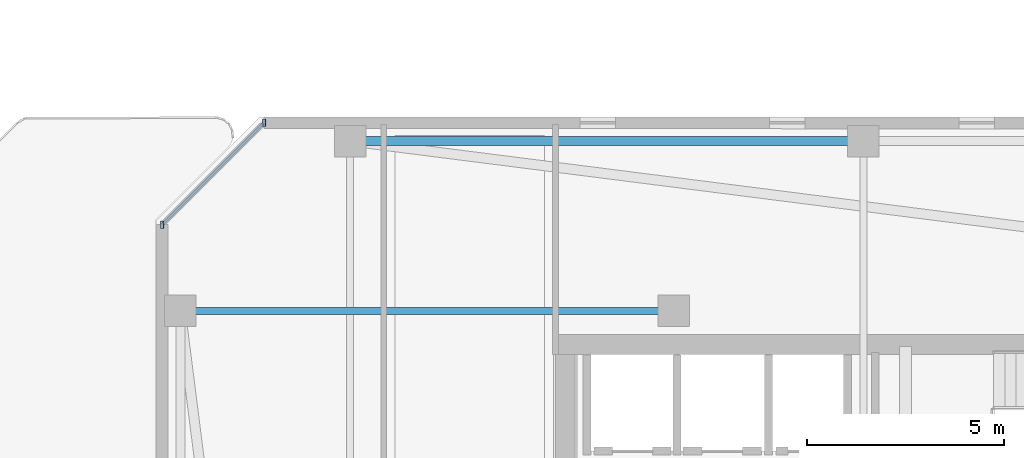
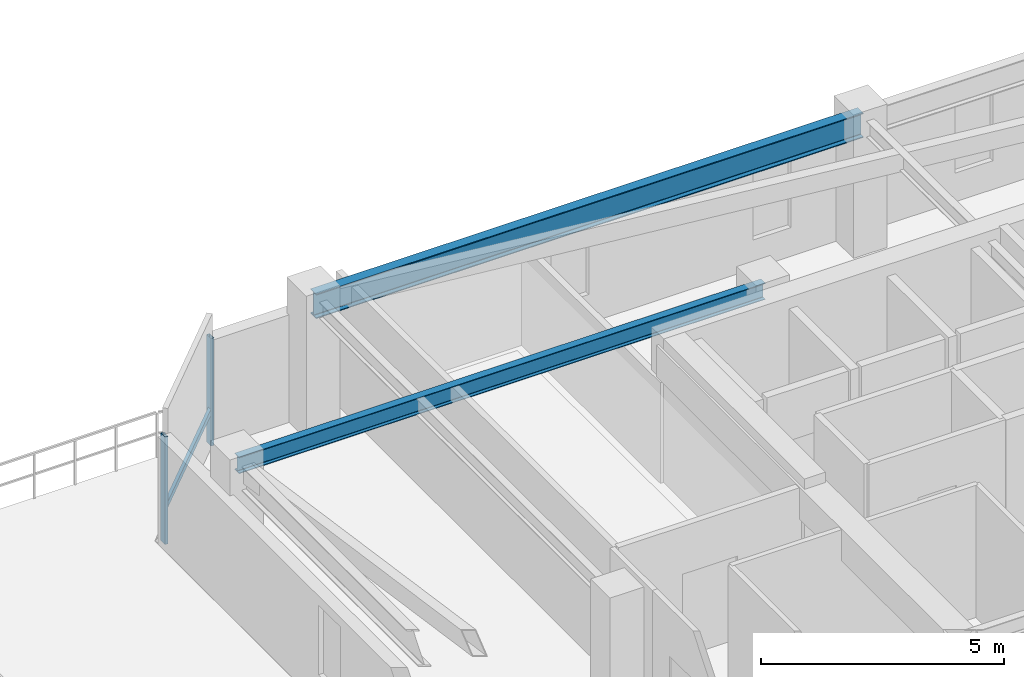
# One storey, part 7 of 31: 3 members, 2 beams, 1 element without a shape of its own.
"""IFC4 building model written with IfcOpenShell, lengths in metres."""

from ifc_helpers import new_model, si_unit, direction, frame, origin, origin_2d, place, context, subcontext, project, spatial, hollow_rectangle, i_section, extrude, material, material_profile, profile_set, type_object, element, aggregate, save


model = new_model("IFC4")

# Units and contexts
model_context = context("Model", 3, precision=1e-05, world=origin(), true_north=direction((0.0, 1.0)))
body_context = subcontext(model_context, "Body", "Model", "MODEL_VIEW")
ifc_project = project(units=[si_unit("LENGTHUNIT", "METRE"), si_unit("AREAUNIT", "SQUARE_METRE"), si_unit("VOLUMEUNIT", "CUBIC_METRE"), si_unit("PLANEANGLEUNIT", "RADIAN"), si_unit("MASSUNIT", "GRAM", prefix="KILO")], contexts=[model_context])

# Site, building, storey
site_placement = place(None, origin())
site = spatial("IfcSite", under=ifc_project, at=site_placement, CompositionType="ELEMENT")
building_placement = place(site_placement, origin())
building = spatial("IfcBuilding", under=site, at=building_placement, Name="Thornwick Lancets Civic Towers", CompositionType="ELEMENT")
storey_placement = place(building_placement, frame((0.0, 0.0, 254.699951171875)))
storey = spatial("IfcBuildingStorey", under=building, at=storey_placement, Name="L68", CompositionType="ELEMENT", Elevation=254.699951171875)

# Beams
ifc_material_1 = material(Name="Steel S355JR", Category="steel")
ifc_material_profile_1 = material_profile(ifc_material_1, i_section(OverallWidth=0.230224609375, OverallDepth=0.6171875, WebThickness=0.01318359375, FlangeThickness=0.022216796875, FilletRadius=0.0126953125, at=origin_2d()), Name="UKB 610x229x140")
ifc_profile_set_1 = profile_set([ifc_material_profile_1], Name="Steel S355JR")
beam_type_1 = type_object("IfcBeamType", Name="BM_GIRD_610_140", PredefinedType="BEAM", material=ifc_profile_set_1)
beam_1_placement = place(storey_placement, frame((12.5, 44.300048828125, 3.031494140625), z_axis=(1.0, 0.0, 0.0), x_axis=(0.0, 1.0, 0.0)))
element("IfcBeam", 1, at=beam_1_placement, inside=storey, type_object=beam_type_1, Name="BM-SPINE-L68-A-6-7", PredefinedType="BEAM", context=body_context, shape_type="SweptSolid", body=[
    extrude(i_section(OverallWidth=0.230224609375, OverallDepth=0.6171875, WebThickness=0.01318359375, FlangeThickness=0.022216796875, FilletRadius=0.0126953125, at=origin_2d()), origin(), (0.0, 0.0, 1.0), 13.0),
])
ifc_material_profile_2 = material_profile(ifc_material_1, i_section(OverallWidth=0.179443359375, OverallDepth=0.412841796875, WebThickness=0.009521484375, FlangeThickness=0.01611328125, FilletRadius=0.01025390625, at=origin_2d()), Name="UKB 406x178x74")
ifc_profile_set_2 = profile_set([ifc_material_profile_2], Name="Steel S355JR")
beam_type_2 = type_object("IfcBeamType", Name="BM_JOIST_406_74", PredefinedType="JOIST", material=ifc_profile_set_2)
beam_2_placement = place(storey_placement, frame((20.699951171875, 40.0, 3.133544921875), z_axis=(-1.0, 0.0, 0.0), x_axis=(0.0, -1.0, 0.0)))
element("IfcBeam", 2, at=beam_2_placement, inside=storey, type_object=beam_type_2, Name="BM-RADIN-L68-A12", PredefinedType="JOIST", context=body_context, shape_type="SweptSolid", body=[
    extrude(i_section(OverallWidth=0.179443359375, OverallDepth=0.412841796875, WebThickness=0.009521484375, FlangeThickness=0.01611328125, FilletRadius=0.01025390625, at=origin_2d()), origin(), (0.0, 0.0, 1.0), 12.5),
])

# Curtain wall, members
ifc_material_2 = material(Name="High-zone chamfered-corner unitised glass curtain wall", Category="glass")
curtain_wall_type = type_object("IfcCurtainWallType", Name="CW_SYS_05", PredefinedType="NOTDEFINED", material=ifc_material_2)
curtain_wall_placement = place(storey_placement, origin())
curtain_wall = element("IfcCurtainWall", 3, at=curtain_wall_placement, inside=storey, type_object=curtain_wall_type, Name="L68 Curtain Wall CW-L68-A-E5", PredefinedType="NOTDEFINED")
ifc_material_3 = material(Name="Thermally broken bronze aluminium S355", Category="steel")
ifc_material_profile_3 = material_profile(ifc_material_3, hollow_rectangle(XDim=0.074951171875, YDim=0.179931640625, WallThickness=0.006103515625, at=origin_2d()), Name="RHS 180x75x6")
ifc_profile_set_3 = profile_set([ifc_material_profile_3], Name="Thermally broken bronze aluminium S355")
member_type_1 = type_object("IfcMemberType", Name="CW_MUL_180", PredefinedType="MULLION", material=ifc_profile_set_3)
member_1_placement = place(storey_placement, frame((10.318603515625, 44.7646484375, 0.0), z_axis=(0.0, 0.0, 1.0), x_axis=(1.0, 0.0, 0.0)))
member_1 = element("IfcMember", 4, at=member_1_placement, type_object=member_type_1, Name="CW-L68-A-E5 Mullion 0", PredefinedType="MULLION", context=body_context, shape_type="SweptSolid", body=[
    extrude(hollow_rectangle(XDim=0.074951171875, YDim=0.179931640625, WallThickness=0.006103515625, at=origin_2d()), origin(), (0.0, 0.0, 1.0), 2.699951171875),
])
member_2_placement = place(storey_placement, frame((7.7353515625, 42.181396484375, 0.0), z_axis=(0.0, 0.0, 1.0), x_axis=(1.0, 0.0, 0.0)))
member_2 = element("IfcMember", 5, at=member_2_placement, type_object=member_type_1, Name="CW-L68-A-E5 Mullion 1", PredefinedType="MULLION", context=body_context, shape_type="SweptSolid", body=[
    extrude(hollow_rectangle(XDim=0.074951171875, YDim=0.179931640625, WallThickness=0.006103515625, at=origin_2d()), origin(), (0.0, 0.0, 1.0), 2.699951171875),
])
ifc_material_profile_4 = material_profile(ifc_material_3, hollow_rectangle(XDim=0.074951171875, YDim=0.14990234375, WallThickness=0.0048828125, at=origin_2d()), Name="RHS 150x75x5")
ifc_profile_set_4 = profile_set([ifc_material_profile_4], Name="Thermally broken bronze aluminium S355")
member_type_2 = type_object("IfcMemberType", Name="CW_TRN_150", PredefinedType="USERDEFINED", material=ifc_profile_set_4)
member_3_placement = place(storey_placement, frame((10.304443359375, 44.75048828125, 0.85009765625), z_axis=(-0.707106781187, -0.707106781187, 0.0), x_axis=(0.707106781187, -0.707106781187, 0.0)))
member_3 = element("IfcMember", 6, at=member_3_placement, type_object=member_type_2, Name="CW-L68-A-E5 Transom 0", ObjectType="TRANSOM", PredefinedType="USERDEFINED", context=body_context, shape_type="SweptSolid", body=[
    extrude(hollow_rectangle(XDim=0.074951171875, YDim=0.14990234375, WallThickness=0.0048828125, at=origin_2d()), origin(), (0.0, 0.0, 1.0), 3.61328125),
])
aggregate(curtain_wall, [member_1, member_2, member_3])

save(model, "model.ifc")
